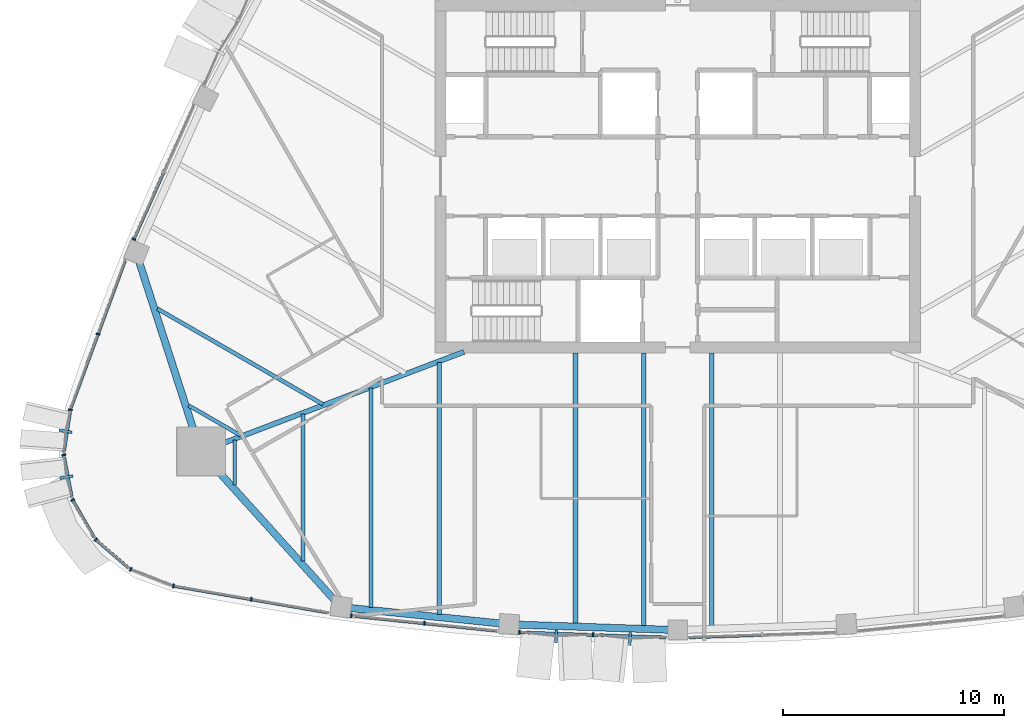
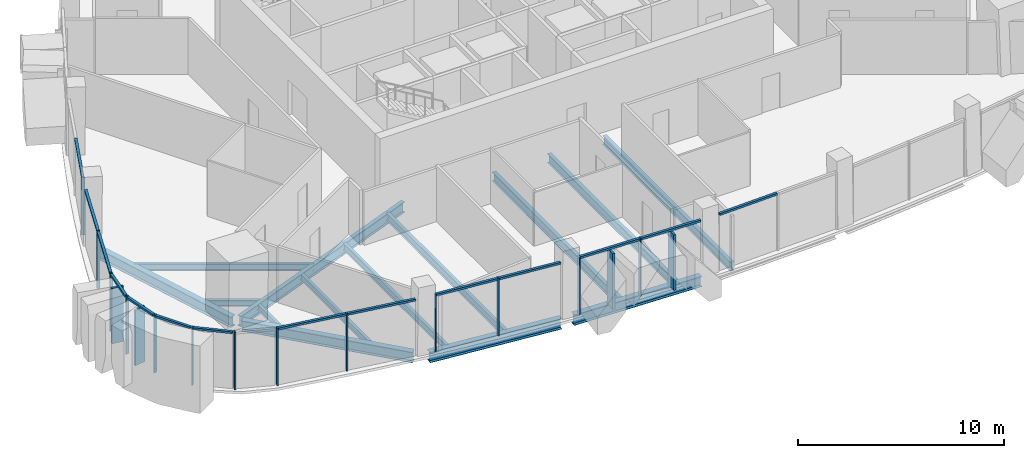
# One storey, part 2 of 18: 31 members, 14 beams, 11 elements without a shape of their own.
"""IFC4 building model written with IfcOpenShell, lengths in metres."""

import ifcopenshell
import ifcopenshell.guid

model = None  # the IFC model being written
_history = None  # IfcOwnerHistory: only IFC2X3 demands one
_inside = {}  # id of a spatial element -> (the spatial element, [elements in it])
_under = {}  # id of a project, library or spatial element -> (it, [spatial elements below it])
_declared = {}  # id of a project -> (the project, [libraries it declares])
_typed = {}  # id of a type object -> (the type object, [elements of that type])
_made_of = {}  # id of a material, layer set ... -> (it, [elements and type objects made of it])


def new_model(schema):
    """Start an empty IFC model of exactly this schema.

    Asked for "IFC4X3", IfcOpenShell would pick the latest addendum, in which some entities
    have other attributes; the version numbers below select the first issue.
    IFC2X3 requires an IfcOwnerHistory on every rooted entity: one is made here for all.
    """
    global model, _history
    if schema == "IFC4X3":
        model = ifcopenshell.file(schema_version=(4, 3, 0, 0))
    else:
        model = ifcopenshell.file(schema=schema)
    _inside.clear()
    _under.clear()
    _declared.clear()
    _typed.clear()
    _made_of.clear()
    _history = None
    if model.schema == "IFC2X3":
        org = make("IfcOrganization", Name="unknown")
        user = make(
            "IfcPersonAndOrganization",
            ThePerson=make("IfcPerson", FamilyName="unknown"),
            TheOrganization=org,
        )
        app = make(
            "IfcApplication",
            ApplicationDeveloper=org,
            Version="unknown",
            ApplicationFullName="unknown",
            ApplicationIdentifier="unknown",
        )
        _history = make(
            "IfcOwnerHistory",
            OwningUser=user,
            OwningApplication=app,
            ChangeAction="ADDED",
            CreationDate=0,
        )
    return model


def make(cls, **values):
    """One entity of the class cls with the attributes given. An attribute that is None is left unset."""
    return model.create_entity(
        cls, **{name: value for name, value in values.items() if value is not None}
    )


def rooted(cls, **values):
    """An entity with a GlobalId (a new one), such as an element, a storey or a relation."""
    return make(cls, GlobalId=ifcopenshell.guid.new(), OwnerHistory=_history, **values)


def si_unit(unit_type, name, prefix=None):
    """IfcSIUnit, for example si_unit("LENGTHUNIT", "METRE", prefix="MILLI")."""
    return make("IfcSIUnit", UnitType=unit_type, Prefix=prefix, Name=name)


def assignment(units):
    """IfcUnitAssignment: the units of a project."""
    return None if units is None else make("IfcUnitAssignment", Units=units)


def point(xyz):
    """IfcCartesianPoint."""
    return None if xyz is None else make("IfcCartesianPoint", Coordinates=xyz)


def direction(xyz):
    """IfcDirection."""
    return None if xyz is None else make("IfcDirection", DirectionRatios=xyz)


def frame(location, z_axis=None, x_axis=None):
    """IfcAxis2Placement3D, a coordinate frame: its origin and axes. An axis left out is left unset."""
    return make(
        "IfcAxis2Placement3D",
        Location=point(location),
        Axis=direction(z_axis),
        RefDirection=direction(x_axis),
    )


def frame_2d(location, x_axis=None):
    """IfcAxis2Placement2D, a coordinate frame in the plane: its origin and x axis."""
    return make(
        "IfcAxis2Placement2D", Location=point(location), RefDirection=direction(x_axis)
    )


def origin():
    """The frame at (0, 0, 0) with its axes left unset."""
    return frame((0.0, 0.0, 0.0))


def origin_2d():
    """The frame at (0, 0) in the plane with its x axis left unset."""
    return frame_2d((0.0, 0.0))


def place(relative_to, where):
    """IfcLocalPlacement: puts the frame where relative to a parent placement (None: the world)."""
    return make(
        "IfcLocalPlacement", PlacementRelTo=relative_to, RelativePlacement=where
    )


def context(
    kind, dimensions, precision=None, world=None, true_north=None, identifier=None
):
    """IfcGeometricRepresentationContext, for example the 3D "Model" context."""
    return make(
        "IfcGeometricRepresentationContext",
        ContextIdentifier=identifier,
        ContextType=kind,
        CoordinateSpaceDimension=dimensions,
        Precision=precision,
        WorldCoordinateSystem=world,
        TrueNorth=true_north,
    )


def subcontext(parent, identifier, kind, view, scale=None):
    """IfcGeometricRepresentationSubContext, for example "Body" below "Model"."""
    return make(
        "IfcGeometricRepresentationSubContext",
        ContextIdentifier=identifier,
        ContextType=kind,
        ParentContext=parent,
        TargetScale=scale,
        TargetView=view,
    )


def project(units=None, contexts=None):
    """IfcProject with its units and contexts."""
    return rooted(
        "IfcProject",
        Name="project",
        RepresentationContexts=contexts,
        UnitsInContext=assignment(units),
    )


def spatial(cls, under=None, at=None, **own):
    """A site, building, storey or space (cls), placed at a placement, below another one or the project."""
    s = rooted(cls, ObjectPlacement=at, **own)
    if under is not None:
        _under.setdefault(under.id(), (under, []))[1].append(s)
    return s


def profile(cls, at=None, kind="AREA", **sizes):
    """A parametric profile (cls). Its sizes go by their IFC names, for example OverallWidth=200.0."""
    return make(cls, ProfileType=kind, Position=at, **sizes)


def rectangle(**sizes):
    """IfcRectangleProfileDef."""
    return profile("IfcRectangleProfileDef", **sizes)


def i_section(**sizes):
    """IfcIShapeProfileDef."""
    return profile("IfcIShapeProfileDef", **sizes)


def extrude(swept, where, along, depth):
    """IfcExtrudedAreaSolid: the profile swept, set in the frame where, extruded along a direction by depth."""
    return make(
        "IfcExtrudedAreaSolid",
        SweptArea=swept,
        Position=where,
        ExtrudedDirection=direction(along),
        Depth=depth,
    )


def shape(context_of_items, identifier, shape_type, items):
    """IfcShapeRepresentation: the items that make up one representation, for example the "Body"."""
    return make(
        "IfcShapeRepresentation",
        ContextOfItems=context_of_items,
        RepresentationIdentifier=identifier,
        RepresentationType=shape_type,
        Items=items,
    )


def material(Name=None, Category=None):
    """IfcMaterial."""
    return make("IfcMaterial", Name=Name, Category=Category)


def layer(
    of_material, thickness, ventilated=None, Name=None, Category=None, Priority=None
):
    """IfcMaterialLayer: one layer of a wall or slab, of a material (None: an air gap)."""
    return make(
        "IfcMaterialLayer",
        Material=of_material,
        LayerThickness=thickness,
        IsVentilated=ventilated,
        Name=Name,
        Category=Category,
        Priority=Priority,
    )


def layer_set(layers, Name=None):
    """IfcMaterialLayerSet."""
    return make("IfcMaterialLayerSet", MaterialLayers=layers, LayerSetName=Name)


def material_profile(
    of_material, cross_section, Name=None, Category=None, Priority=None
):
    """IfcMaterialProfile: a cross section and its material."""
    return make(
        "IfcMaterialProfile",
        Name=Name,
        Material=of_material,
        Profile=cross_section,
        Priority=Priority,
        Category=Category,
    )


def profile_set(profiles, Name=None, composite=None):
    """IfcMaterialProfileSet."""
    return make(
        "IfcMaterialProfileSet",
        Name=Name,
        MaterialProfiles=profiles,
        CompositeProfile=composite,
    )


def made_of(thing, what):
    """Note that an element or type object is made of a material, layer set ...; save() writes the relation."""
    if what is not None:
        _made_of.setdefault(what.id(), (what, []))[1].append(thing)
    return thing


def type_object(cls, material=None, **own):
    """A type object (cls), such as IfcWallType, which elements share."""
    return made_of(rooted(cls, **own), material)


def element(
    cls,
    number,
    at=None,
    inside=None,
    cuts=None,
    type_object=None,
    material=None,
    context=None,
    identifier="Body",
    shape_type=None,
    held_by="IfcProductDefinitionShape",
    body=None,
    shapes=None,
    **own,
):
    """One element of the class cls, such as IfcWall. Its Tag is "e" and its number.

    at: its placement. inside: the storey or other place that contains it. cuts: it is an
    opening in that element (IfcRelVoidsElement). A single representation is given by context,
    identifier, shape_type and body (its items); several are given by shapes. held_by: the class
    of the entity that holds the representations. save() writes the other relations.
    """
    e = rooted(cls, Tag="e%d" % number, ObjectPlacement=at, **own)
    if body is not None:
        shapes = [shape(context, identifier, shape_type, body)]
    if shapes is not None:
        e.Representation = make(held_by, Representations=shapes)
    if inside is not None:
        _inside.setdefault(inside.id(), (inside, []))[1].append(e)
    if cuts is not None:
        rooted(
            "IfcRelVoidsElement", RelatingBuildingElement=cuts, RelatedOpeningElement=e
        )
    if type_object is not None:
        _typed.setdefault(type_object.id(), (type_object, []))[1].append(e)
    return made_of(e, material)


def aggregate(whole, parts):
    """IfcRelAggregates: a whole, such as a stair, and the parts it consists of."""
    return rooted("IfcRelAggregates", RelatingObject=whole, RelatedObjects=parts)


def save(model, path):
    """Write the relations noted so far, then the file.

    IfcRelAggregates (storeys below a building ...), IfcRelContainedInSpatialStructure (elements
    in a storey), IfcRelDefinesByType, IfcRelAssociatesMaterial and IfcRelDeclares: one each for
    every whole, place, type object, material and project.
    """
    for whole, parts in _under.values():
        aggregate(whole, parts)
    for where, things in _inside.values():
        rooted(
            "IfcRelContainedInSpatialStructure",
            RelatedElements=things,
            RelatingStructure=where,
        )
    for kind, things in _typed.values():
        rooted("IfcRelDefinesByType", RelatedObjects=things, RelatingType=kind)
    for what, things in _made_of.values():
        rooted("IfcRelAssociatesMaterial", RelatedObjects=things, RelatingMaterial=what)
    for by, libraries in _declared.values():
        rooted("IfcRelDeclares", RelatingContext=by, RelatedDefinitions=libraries)
    model.write(path)


model = new_model("IFC4")

# Units and contexts
model_context = context("Model", 3, precision=1e-05, world=origin(), true_north=direction((0.0, 1.0)))
body_context = subcontext(model_context, "Body", "Model", "MODEL_VIEW")
ifc_project = project(units=[si_unit("LENGTHUNIT", "METRE"), si_unit("AREAUNIT", "SQUARE_METRE"), si_unit("VOLUMEUNIT", "CUBIC_METRE"), si_unit("PLANEANGLEUNIT", "RADIAN"), si_unit("MASSUNIT", "GRAM", prefix="KILO")], contexts=[model_context])

# Site, building, storey
site_placement = place(None, origin())
site = spatial("IfcSite", under=ifc_project, at=site_placement, CompositionType="ELEMENT")
building_placement = place(site_placement, origin())
building = spatial("IfcBuilding", under=site, at=building_placement, Name="Sierra Prisma Convention Tower", CompositionType="ELEMENT")
storey_placement = place(building_placement, frame((0.0, 0.0, 255.0)))
storey = spatial("IfcBuildingStorey", under=building, at=storey_placement, Name="L57", CompositionType="ELEMENT", Elevation=255.0)

# Curtain wall, members
ifc_material_1 = material(Name="Aluminium and glass curtain wall", Category="aluminium")
ifc_layer_1 = layer(ifc_material_1, 0.179931640625)
ifc_layer_set_1 = layer_set([ifc_layer_1], Name="CW-2 Faceted crystal curtain wall")
curtain_wall_type_1 = type_object("IfcCurtainWallType", Name="CW-2 Faceted crystal curtain wall", PredefinedType="NOTDEFINED", material=ifc_layer_set_1)
curtain_wall_1_placement = place(storey_placement, origin())
curtain_wall_1 = element("IfcCurtainWall", 1, at=curtain_wall_1_placement, inside=storey, type_object=curtain_wall_type_1, Name="CW-2 S3 L57", PredefinedType="NOTDEFINED")
ifc_material_2 = material(Name="Aluminium 6063-T6 bronze anodised", Category="aluminium")
ifc_material_profile_1 = material_profile(ifc_material_2, rectangle(XDim=0.1201171875, YDim=0.60009765625, at=origin_2d()), Name="ALU RIDGE BLADE 120x600")
ifc_profile_set_1 = profile_set([ifc_material_profile_1], Name="Aluminium 6063-T6 bronze anodised")
member_type_1 = type_object("IfcMemberType", Name="CW hip bronze", PredefinedType="MULLION", material=ifc_profile_set_1)
member_1_placement = place(storey_placement, frame((-5.510986328125, -20.859130859375, 0.0), z_axis=(0.0, 0.0, 1.0), x_axis=(0.999414770638, -0.034206961734, 0.0)))
member_1 = element("IfcMember", 2, at=member_1_placement, type_object=member_type_1, Name="CW-2 ridge S3.1", PredefinedType="MULLION", context=body_context, shape_type="SweptSolid", body=[
    extrude(rectangle(XDim=0.1201171875, YDim=0.60009765625, at=origin_2d()), origin(), (0.0, 0.0, 1.0), 3.280029296875),
])
member_2_placement = place(storey_placement, frame((-2.1630859375, -20.9736328125, 0.0), z_axis=(0.0, 0.0, 1.0), x_axis=(0.999414770638, -0.034206961734, 0.0)))
member_2 = element("IfcMember", 3, at=member_2_placement, type_object=member_type_1, Name="CW-2 ridge S3.2", PredefinedType="MULLION", context=body_context, shape_type="SweptSolid", body=[
    extrude(rectangle(XDim=0.1201171875, YDim=0.60009765625, at=origin_2d()), origin(), (0.0, 0.0, 1.0), 3.280029296875),
])

# Curtain wall, member
curtain_wall_2_placement = place(storey_placement, origin())
curtain_wall_2 = element("IfcCurtainWall", 4, at=curtain_wall_2_placement, inside=storey, type_object=curtain_wall_type_1, Name="CW-2 SW1 L57", PredefinedType="NOTDEFINED")
member_3_placement = place(storey_placement, frame((-27.74951171875, -11.55859375, 0.0), z_axis=(0.0, 0.0, 1.0), x_axis=(-0.149372686677, -0.988780966885, 0.0)))
member_3 = element("IfcMember", 5, at=member_3_placement, type_object=member_type_1, Name="CW-2 ridge SW1.1", PredefinedType="MULLION", context=body_context, shape_type="SweptSolid", body=[
    extrude(rectangle(XDim=0.1201171875, YDim=0.60009765625, at=origin_2d()), origin(), (0.0, 0.0, 1.0), 3.280029296875),
])

curtain_wall_3_placement = place(storey_placement, origin())
curtain_wall_3 = element("IfcCurtainWall", 6, at=curtain_wall_3_placement, inside=storey, type_object=curtain_wall_type_1, Name="CW-2 SW2 L57", PredefinedType="NOTDEFINED")
member_4_placement = place(storey_placement, frame((-27.711181640625, -13.635009765625, 0.0), z_axis=(0.0, 0.0, 1.0), x_axis=(0.185747436806, -0.982597521735, 0.0)))
member_4 = element("IfcMember", 7, at=member_4_placement, type_object=member_type_1, Name="CW-2 ridge SW2.1", PredefinedType="MULLION", context=body_context, shape_type="SweptSolid", body=[
    extrude(rectangle(XDim=0.1201171875, YDim=0.60009765625, at=origin_2d()), origin(), (0.0, 0.0, 1.0), 3.280029296875),
])

# Curtain wall, members
ifc_material_3 = material(Name="Aluminium and glass curtain wall", Category="aluminium")
ifc_layer_2 = layer(ifc_material_3, 0.179931640625)
ifc_layer_set_2 = layer_set([ifc_layer_2], Name="CW-1 Plain shaft curtain wall")
curtain_wall_type_2 = type_object("IfcCurtainWallType", Name="CW-1 Plain shaft curtain wall", PredefinedType="NOTDEFINED", material=ifc_layer_set_2)
curtain_wall_4_placement = place(storey_placement, origin())
curtain_wall_4 = element("IfcCurtainWall", 8, at=curtain_wall_4_placement, inside=storey, type_object=curtain_wall_type_2, Name="CW-1 S1 L57", PredefinedType="NOTDEFINED")
ifc_material_4 = material(Name="Aluminium 6063-T6 bronze anodised", Category="aluminium")
ifc_material_profile_2 = material_profile(ifc_material_4, rectangle(XDim=0.179931640625, YDim=0.070068359375, at=origin_2d()), Name="ALU MULLION 70x180")
ifc_profile_set_2 = profile_set([ifc_material_profile_2], Name="Aluminium 6063-T6 bronze anodised")
member_type_2 = type_object("IfcMemberType", Name="CW mullion bronze", PredefinedType="MULLION", material=ifc_profile_set_2)
member_5_placement = place(storey_placement, frame((-22.85400390625, -18.56689453125, 0.0), z_axis=(0.0, 0.0, 1.0), x_axis=(0.170235035574, 0.985403487239, 0.0)))
member_5 = element("IfcMember", 9, at=member_5_placement, type_object=member_type_2, Name="CW-1 mullion S1.1", PredefinedType="MULLION", context=body_context, shape_type="SweptSolid", body=[
    extrude(rectangle(XDim=0.179931640625, YDim=0.070068359375, at=origin_2d()), origin(), (0.0, 0.0, 1.0), 3.39990234375),
])
member_6_placement = place(storey_placement, frame((-19.325439453125, -19.176513671875, 0.0), z_axis=(0.0, 0.0, 1.0), x_axis=(0.170235035574, 0.985403487239, 0.0)))
member_6 = element("IfcMember", 10, at=member_6_placement, type_object=member_type_2, Name="CW-1 mullion S1.2", PredefinedType="MULLION", context=body_context, shape_type="SweptSolid", body=[
    extrude(rectangle(XDim=0.179931640625, YDim=0.070068359375, at=origin_2d()), origin(), (0.0, 0.0, 1.0), 3.39990234375),
])

curtain_wall_5_placement = place(storey_placement, origin())
curtain_wall_5 = element("IfcCurtainWall", 11, at=curtain_wall_5_placement, inside=storey, type_object=curtain_wall_type_2, Name="CW-1 S2 L57", PredefinedType="NOTDEFINED")
member_7_placement = place(storey_placement, frame((-14.79248046875, -19.9228515625, 0.0), z_axis=(0.0, 0.0, 1.0), x_axis=(0.102460780699, 0.994737044861, 0.0)))
member_7 = element("IfcMember", 12, at=member_7_placement, type_object=member_type_2, Name="CW-1 mullion S2.1", PredefinedType="MULLION", context=body_context, shape_type="SweptSolid", body=[
    extrude(rectangle(XDim=0.179931640625, YDim=0.070068359375, at=origin_2d()), origin(), (0.0, 0.0, 1.0), 3.39990234375),
])
member_8_placement = place(storey_placement, frame((-11.47607421875, -20.264404296875, 0.0), z_axis=(0.0, 0.0, 1.0), x_axis=(0.102460780699, 0.994737044861, 0.0)))
member_8 = element("IfcMember", 13, at=member_8_placement, type_object=member_type_2, Name="CW-1 mullion S2.2", PredefinedType="MULLION", context=body_context, shape_type="SweptSolid", body=[
    extrude(rectangle(XDim=0.179931640625, YDim=0.070068359375, at=origin_2d()), origin(), (0.0, 0.0, 1.0), 3.39990234375),
])

# Member
member_9_placement = place(storey_placement, frame((-7.180419921875, -20.6728515625, 0.0), z_axis=(0.0, 0.0, 1.0), x_axis=(0.034206961734, 0.999414770638, 0.0)))
member_9 = element("IfcMember", 14, at=member_9_placement, type_object=member_type_2, Name="CW-1 mullion S3.1", PredefinedType="MULLION", context=body_context, shape_type="SweptSolid", body=[
    extrude(rectangle(XDim=0.179931640625, YDim=0.070068359375, at=origin_2d()), origin(), (0.0, 0.0, 1.0), 3.39990234375),
])

member_10_placement = place(storey_placement, frame((-3.83251953125, -20.787353515625, 0.0), z_axis=(0.0, 0.0, 1.0), x_axis=(0.034206961734, 0.999414770638, 0.0)))
member_10 = element("IfcMember", 15, at=member_10_placement, type_object=member_type_2, Name="CW-1 mullion S3.2", PredefinedType="MULLION", context=body_context, shape_type="SweptSolid", body=[
    extrude(rectangle(XDim=0.179931640625, YDim=0.070068359375, at=origin_2d()), origin(), (0.0, 0.0, 1.0), 3.39990234375),
])

# Curtain wall, member
curtain_wall_6_placement = place(storey_placement, origin())
curtain_wall_6 = element("IfcCurtainWall", 16, at=curtain_wall_6_placement, inside=storey, type_object=curtain_wall_type_2, Name="CW-1 NW5 L57", PredefinedType="NOTDEFINED")
member_11_placement = place(storey_placement, frame((-24.650146484375, -2.849365234375, 0.0), z_axis=(0.0, 0.0, 1.0), x_axis=(0.912697941284, -0.408634883454, 0.0)))
member_11 = element("IfcMember", 17, at=member_11_placement, type_object=member_type_2, Name="CW-1 mullion NW5.3", PredefinedType="MULLION", context=body_context, shape_type="SweptSolid", body=[
    extrude(rectangle(XDim=0.179931640625, YDim=0.070068359375, at=origin_2d()), origin(), (0.0, 0.0, 1.0), 3.39990234375),
])

curtain_wall_7_placement = place(storey_placement, origin())
curtain_wall_7 = element("IfcCurtainWall", 18, at=curtain_wall_7_placement, inside=storey, type_object=curtain_wall_type_2, Name="CW-1 NW6 L57", PredefinedType="NOTDEFINED")
member_12_placement = place(storey_placement, frame((-26.27001953125, -7.14794921875, 0.0), z_axis=(0.0, 0.0, 1.0), x_axis=(0.938501970714, -0.345273878198, 0.0)))
member_12 = element("IfcMember", 19, at=member_12_placement, type_object=member_type_2, Name="CW-1 mullion NW6.2", PredefinedType="MULLION", context=body_context, shape_type="SweptSolid", body=[
    extrude(rectangle(XDim=0.179931640625, YDim=0.070068359375, at=origin_2d()), origin(), (0.0, 0.0, 1.0), 3.39990234375),
])

# Member
member_13_placement = place(storey_placement, frame((-27.523681640625, -10.576171875, 0.0), z_axis=(0.0, 0.0, 1.0), x_axis=(0.988780966885, -0.149372686677, 0.0)))
member_13 = element("IfcMember", 20, at=member_13_placement, type_object=member_type_2, Name="CW-1 mullion SW1.1", PredefinedType="MULLION", context=body_context, shape_type="SweptSolid", body=[
    extrude(rectangle(XDim=0.179931640625, YDim=0.070068359375, at=origin_2d()), origin(), (0.0, 0.0, 1.0), 3.39990234375),
])

member_14_placement = place(storey_placement, frame((-27.82275390625, -12.633056640625, 0.0), z_axis=(0.0, 0.0, 1.0), x_axis=(0.982597521735, 0.185747436806, 0.0)))
member_14 = element("IfcMember", 21, at=member_14_placement, type_object=member_type_2, Name="CW-1 mullion SW2.1", PredefinedType="MULLION", context=body_context, shape_type="SweptSolid", body=[
    extrude(rectangle(XDim=0.179931640625, YDim=0.070068359375, at=origin_2d()), origin(), (0.0, 0.0, 1.0), 3.39990234375),
])

# Curtain wall, member
curtain_wall_8_placement = place(storey_placement, origin())
curtain_wall_8 = element("IfcCurtainWall", 22, at=curtain_wall_8_placement, inside=storey, type_object=curtain_wall_type_2, Name="CW-1 SW3 L57", PredefinedType="NOTDEFINED")
member_15_placement = place(storey_placement, frame((-27.42529296875, -14.67333984375, 0.0), z_axis=(0.0, 0.0, 1.0), x_axis=(0.866025403784, 0.5, 0.0)))
member_15 = element("IfcMember", 23, at=member_15_placement, type_object=member_type_2, Name="CW-1 mullion SW3.1", PredefinedType="MULLION", context=body_context, shape_type="SweptSolid", body=[
    extrude(rectangle(XDim=0.179931640625, YDim=0.070068359375, at=origin_2d()), origin(), (0.0, 0.0, 1.0), 3.39990234375),
])

curtain_wall_9_placement = place(storey_placement, origin())
curtain_wall_9 = element("IfcCurtainWall", 24, at=curtain_wall_9_placement, inside=storey, type_object=curtain_wall_type_2, Name="CW-1 SW4 L57", PredefinedType="NOTDEFINED")
member_16_placement = place(storey_placement, frame((-26.3759765625, -16.467529296875, 0.0), z_axis=(0.0, 0.0, 1.0), x_axis=(0.652160759829, 0.758080697115, 0.0)))
member_16 = element("IfcMember", 25, at=member_16_placement, type_object=member_type_2, Name="CW-1 mullion SW4.1", PredefinedType="MULLION", context=body_context, shape_type="SweptSolid", body=[
    extrude(rectangle(XDim=0.179931640625, YDim=0.070068359375, at=origin_2d()), origin(), (0.0, 0.0, 1.0), 3.39990234375),
])

curtain_wall_10_placement = place(storey_placement, origin())
curtain_wall_10 = element("IfcCurtainWall", 26, at=curtain_wall_10_placement, inside=storey, type_object=curtain_wall_type_2, Name="CW-1 SW5 L57", PredefinedType="NOTDEFINED")
member_17_placement = place(storey_placement, frame((-24.79296875, -17.814208984375, 0.0), z_axis=(0.0, 0.0, 1.0), x_axis=(0.365029942148, 0.93099577944, 0.0)))
member_17 = element("IfcMember", 27, at=member_17_placement, type_object=member_type_2, Name="CW-1 mullion SW5.1", PredefinedType="MULLION", context=body_context, shape_type="SweptSolid", body=[
    extrude(rectangle(XDim=0.179931640625, YDim=0.070068359375, at=origin_2d()), origin(), (0.0, 0.0, 1.0), 3.39990234375),
])
aggregate(curtain_wall_10, [member_17])

# Member
ifc_material_5 = material(Name="Aluminium 6063-T6 bronze anodised", Category="aluminium")
ifc_material_profile_3 = material_profile(ifc_material_5, rectangle(XDim=0.139892578125, YDim=0.1201171875, at=origin_2d()), Name="ALU TRANSOM 120x140")
ifc_profile_set_3 = profile_set([ifc_material_profile_3], Name="Aluminium 6063-T6 bronze anodised")
member_type_3 = type_object("IfcMemberType", Name="CW transom bronze", PredefinedType="USERDEFINED", material=ifc_profile_set_3)
member_18_placement = place(storey_placement, frame((-22.819580078125, -18.572998046875, 3.340087890625), z_axis=(0.985405061032, -0.17022592544, 0.0), x_axis=(0.17022592544, 0.985405061032, 0.0)))
member_18 = element("IfcMember", 28, at=member_18_placement, type_object=member_type_3, Name="CW-1 transom S1.1", ObjectType="TRANSOM", PredefinedType="USERDEFINED", context=body_context, shape_type="SweptSolid", body=[
    extrude(rectangle(XDim=0.139892578125, YDim=0.1201171875, at=origin_2d()), origin(), (0.0, 0.0, 1.0), 3.510986328125),
])

member_19_placement = place(storey_placement, frame((-19.290771484375, -19.1826171875, 3.340087890625), z_axis=(0.985403045869, -0.170237590422, 0.0), x_axis=(0.170237590422, 0.985403045869, 0.0)))
member_19 = element("IfcMember", 29, at=member_19_placement, type_object=member_type_3, Name="CW-1 transom S1.2", ObjectType="TRANSOM", PredefinedType="USERDEFINED", context=body_context, shape_type="SweptSolid", body=[
    extrude(rectangle(XDim=0.139892578125, YDim=0.1201171875, at=origin_2d()), origin(), (0.0, 0.0, 1.0), 3.5107421875),
])

aggregate(curtain_wall_4, [member_5, member_6, member_18, member_19])

member_20_placement = place(storey_placement, frame((-14.7578125, -19.926513671875, 3.340087890625), z_axis=(0.994735789227, -0.102472970241, 0.0), x_axis=(0.102472970241, 0.994735789227, 0.0)))
member_20 = element("IfcMember", 30, at=member_20_placement, type_object=member_type_3, Name="CW-1 transom S2.1", ObjectType="TRANSOM", PredefinedType="USERDEFINED", context=body_context, shape_type="SweptSolid", body=[
    extrude(rectangle(XDim=0.139892578125, YDim=0.1201171875, at=origin_2d()), origin(), (0.0, 0.0, 1.0), 3.263916015625),
])

member_21_placement = place(storey_placement, frame((-11.44140625, -20.26806640625, 3.340087890625), z_axis=(0.994735789227, -0.102472970241, 0.0), x_axis=(0.102472970241, 0.994735789227, 0.0)))
member_21 = element("IfcMember", 31, at=member_21_placement, type_object=member_type_3, Name="CW-1 transom S2.2", ObjectType="TRANSOM", PredefinedType="USERDEFINED", context=body_context, shape_type="SweptSolid", body=[
    extrude(rectangle(XDim=0.139892578125, YDim=0.1201171875, at=origin_2d()), origin(), (0.0, 0.0, 1.0), 3.263916015625),
])

aggregate(curtain_wall_5, [member_7, member_8, member_20, member_21])

member_22_placement = place(storey_placement, frame((-7.1455078125, -20.674072265625, 3.340087890625), z_axis=(0.999416209582, -0.03416489463, 0.0), x_axis=(0.03416489463, 0.999416209582, 0.0)))
member_22 = element("IfcMember", 32, at=member_22_placement, type_object=member_type_3, Name="CW-1 transom S3.1", ObjectType="TRANSOM", PredefinedType="USERDEFINED", context=body_context, shape_type="SweptSolid", body=[
    extrude(rectangle(XDim=0.139892578125, YDim=0.1201171875, at=origin_2d()), origin(), (0.0, 0.0, 1.0), 3.280029296875),
])

member_23_placement = place(storey_placement, frame((-3.797607421875, -20.78857421875, 3.340087890625), z_axis=(0.999413578031, -0.034241788015, 0.0), x_axis=(0.034241788015, 0.999413578031, 0.0)))
member_23 = element("IfcMember", 33, at=member_23_placement, type_object=member_type_3, Name="CW-1 transom S3.2", ObjectType="TRANSOM", PredefinedType="USERDEFINED", context=body_context, shape_type="SweptSolid", body=[
    extrude(rectangle(XDim=0.139892578125, YDim=0.1201171875, at=origin_2d()), origin(), (0.0, 0.0, 1.0), 3.27978515625),
])

aggregate(curtain_wall_1, [member_9, member_10, member_22, member_1, member_23, member_2])

# Curtain wall, member
curtain_wall_11_placement = place(storey_placement, origin())
curtain_wall_11 = element("IfcCurtainWall", 34, at=curtain_wall_11_placement, inside=storey, type_object=curtain_wall_type_2, Name="CW-1 S4 L57", PredefinedType="NOTDEFINED")
member_24_placement = place(storey_placement, frame((0.519775390625, -20.90087890625, 3.340087890625), z_axis=(0.999413578031, 0.034241788015, 0.0), x_axis=(-0.034241788015, 0.999413578031, 0.0)))
member_24 = element("IfcMember", 35, at=member_24_placement, type_object=member_type_3, Name="CW-1 transom S4.1", ObjectType="TRANSOM", PredefinedType="USERDEFINED", context=body_context, shape_type="SweptSolid", body=[
    extrude(rectangle(XDim=0.139892578125, YDim=0.1201171875, at=origin_2d()), origin(), (0.0, 0.0, 1.0), 3.27978515625),
])
aggregate(curtain_wall_11, [member_24])

# Member
member_25_placement = place(storey_placement, frame((-23.302001953125, 0.16162109375, 3.340087890625), z_axis=(-0.408628466508, -0.912700814265, 0.0), x_axis=(0.912700814265, -0.408628466508, 0.0)))
member_25 = element("IfcMember", 36, at=member_25_placement, type_object=member_type_3, Name="CW-1 transom NW5.2", ObjectType="TRANSOM", PredefinedType="USERDEFINED", context=body_context, shape_type="SweptSolid", body=[
    extrude(rectangle(XDim=0.139892578125, YDim=0.1201171875, at=origin_2d()), origin(), (0.0, 0.0, 1.0), 3.263916015625),
])

aggregate(curtain_wall_6, [member_11, member_25])

member_26_placement = place(storey_placement, frame((-25.045654296875, -3.820068359375, 3.340087890625), z_axis=(-0.345302542415, -0.938491424682, 0.0), x_axis=(0.938491424682, -0.345302542415, 0.0)))
member_26 = element("IfcMember", 37, at=member_26_placement, type_object=member_type_3, Name="CW-1 transom NW6.1", ObjectType="TRANSOM", PredefinedType="USERDEFINED", context=body_context, shape_type="SweptSolid", body=[
    extrude(rectangle(XDim=0.139892578125, YDim=0.1201171875, at=origin_2d()), origin(), (0.0, 0.0, 1.0), 3.51123046875),
])

member_27_placement = place(storey_placement, frame((-26.2822265625, -7.180908203125, 3.340087890625), z_axis=(-0.345263829271, -0.938505667642, 0.0), x_axis=(0.938505667642, -0.345263829271, 0.0)))
member_27 = element("IfcMember", 38, at=member_27_placement, type_object=member_type_3, Name="CW-1 transom NW6.2", ObjectType="TRANSOM", PredefinedType="USERDEFINED", context=body_context, shape_type="SweptSolid", body=[
    extrude(rectangle(XDim=0.139892578125, YDim=0.1201171875, at=origin_2d()), origin(), (0.0, 0.0, 1.0), 3.5107421875),
])

aggregate(curtain_wall_7, [member_12, member_26, member_27])

member_28_placement = place(storey_placement, frame((-27.529052734375, -10.61083984375, 3.340087890625), z_axis=(-0.149343210677, -0.988785419302, 0.0), x_axis=(0.988785419302, -0.149343210677, 0.0)))
member_28 = element("IfcMember", 39, at=member_28_placement, type_object=member_type_3, Name="CW-1 transom SW1.1", ObjectType="TRANSOM", PredefinedType="USERDEFINED", context=body_context, shape_type="SweptSolid", body=[
    extrude(rectangle(XDim=0.139892578125, YDim=0.1201171875, at=origin_2d()), origin(), (0.0, 0.0, 1.0), 1.9404296875),
])

aggregate(curtain_wall_2, [member_13, member_28, member_3])

member_29_placement = place(storey_placement, frame((-27.81640625, -12.66748046875, 3.340087890625), z_axis=(0.185822728941, -0.982583285737, 0.0), x_axis=(0.982583285737, 0.185822728941, 0.0)))
member_29 = element("IfcMember", 40, at=member_29_placement, type_object=member_type_3, Name="CW-1 transom SW2.1", ObjectType="TRANSOM", PredefinedType="USERDEFINED", context=body_context, shape_type="SweptSolid", body=[
    extrude(rectangle(XDim=0.139892578125, YDim=0.1201171875, at=origin_2d()), origin(), (0.0, 0.0, 1.0), 1.9404296875),
])

aggregate(curtain_wall_3, [member_14, member_29, member_4])

member_30_placement = place(storey_placement, frame((-27.407958984375, -14.70361328125, 3.340087890625), z_axis=(0.500103611961, -0.865965575126, 0.0), x_axis=(0.865965575126, 0.500103611961, 0.0)))
member_30 = element("IfcMember", 41, at=member_30_placement, type_object=member_type_3, Name="CW-1 transom SW3.1", ObjectType="TRANSOM", PredefinedType="USERDEFINED", context=body_context, shape_type="SweptSolid", body=[
    extrude(rectangle(XDim=0.139892578125, YDim=0.1201171875, at=origin_2d()), origin(), (0.0, 0.0, 1.0), 1.9404296875),
])

aggregate(curtain_wall_8, [member_15, member_30])

member_31_placement = place(storey_placement, frame((-26.349609375, -16.490478515625, 3.340087890625), z_axis=(0.758145388545, -0.652085554071, 0.0), x_axis=(0.652085554071, 0.758145388545, 0.0)))
member_31 = element("IfcMember", 42, at=member_31_placement, type_object=member_type_3, Name="CW-1 transom SW4.1", ObjectType="TRANSOM", PredefinedType="USERDEFINED", context=body_context, shape_type="SweptSolid", body=[
    extrude(rectangle(XDim=0.139892578125, YDim=0.1201171875, at=origin_2d()), origin(), (0.0, 0.0, 1.0), 1.9404296875),
])

aggregate(curtain_wall_9, [member_16, member_31])

# Beams
ifc_material_6 = material(Name="Steel ASTM A992 Gr 50", Category="steel")
ifc_material_profile_4 = material_profile(ifc_material_6, i_section(OverallWidth=0.172119140625, OverallDepth=0.35791015625, WebThickness=0.0078125, FlangeThickness=0.01318359375, at=origin_2d()), Name="W360x57")
ifc_profile_set_4 = profile_set([ifc_material_profile_4], Name="Steel ASTM A992 Gr 50")
beam_type_1 = type_object("IfcBeamType", Name="Floor joist W360x57", PredefinedType="JOIST", material=ifc_profile_set_4)
beam_1_placement = place(storey_placement, frame((-20.07861328125, -14.0029296875, -0.3291015625), z_axis=(0.0, 1.0, 0.0), x_axis=(-1.0, 0.0, 0.0)))
element("IfcBeam", 43, at=beam_1_placement, inside=storey, type_object=beam_type_1, Name="Floor joist L57 S01", PredefinedType="JOIST", context=body_context, shape_type="SweptSolid", body=[
    extrude(i_section(OverallWidth=0.172119140625, OverallDepth=0.35791015625, WebThickness=0.0078125, FlangeThickness=0.01318359375, at=origin_2d()), origin(), (0.0, 0.0, 1.0), 2.055419921875),
])
beam_2_placement = place(storey_placement, frame((-16.98974609375, -17.42529296875, -0.3291015625), z_axis=(0.0, 1.0, 0.0), x_axis=(-1.0, 0.0, 0.0)))
element("IfcBeam", 44, at=beam_2_placement, inside=storey, type_object=beam_type_1, Name="Floor joist L57 S02", PredefinedType="JOIST", context=body_context, shape_type="SweptSolid", body=[
    extrude(i_section(OverallWidth=0.172119140625, OverallDepth=0.35791015625, WebThickness=0.0078125, FlangeThickness=0.01318359375, at=origin_2d()), origin(), (0.0, 0.0, 1.0), 6.649169921875),
])
beam_3_placement = place(storey_placement, frame((-22.166259765625, -10.38720703125, -0.3291015625), z_axis=(0.866042117264, -0.499971050288, 0.0), x_axis=(0.499971050288, 0.866042117264, 0.0)))
element("IfcBeam", 45, at=beam_3_placement, inside=storey, type_object=beam_type_1, Name="Floor joist L57 NW14", PredefinedType="JOIST", context=body_context, shape_type="SweptSolid", body=[
    extrude(i_section(OverallWidth=0.172119140625, OverallDepth=0.35791015625, WebThickness=0.0078125, FlangeThickness=0.01318359375, at=origin_2d()), origin(), (0.0, 0.0, 1.0), 2.720458984375),
])
ifc_material_7 = material(Name="Steel ASTM A992 Gr 50", Category="steel")
ifc_material_profile_5 = material_profile(ifc_material_7, i_section(OverallWidth=0.177978515625, OverallDepth=0.406982421875, WebThickness=0.0078125, FlangeThickness=0.0126953125, at=origin_2d()), Name="W410x60")
ifc_profile_set_5 = profile_set([ifc_material_profile_5], Name="Steel ASTM A992 Gr 50")
beam_type_2 = type_object("IfcBeamType", Name="Floor joist W410x60", PredefinedType="JOIST", material=ifc_profile_set_5)
beam_4_placement = place(storey_placement, frame((-13.900634765625, -19.5498046875, -0.353515625), z_axis=(0.0, 1.0, 0.0), x_axis=(-1.0, 0.0, 0.0)))
element("IfcBeam", 46, at=beam_4_placement, inside=storey, type_object=beam_type_2, Name="Floor joist L57 S03", PredefinedType="JOIST", context=body_context, shape_type="SweptSolid", body=[
    extrude(i_section(OverallWidth=0.177978515625, OverallDepth=0.406982421875, WebThickness=0.0078125, FlangeThickness=0.0126953125, at=origin_2d()), origin(), (0.0, 0.0, 1.0), 9.9453125),
])
beam_5_placement = place(storey_placement, frame((-23.58544921875, -6.0009765625, -0.353515625), z_axis=(0.866030746125, -0.499990746681, 0.0), x_axis=(0.499990746681, 0.866030746125, 0.0)))
element("IfcBeam", 47, at=beam_5_placement, inside=storey, type_object=beam_type_2, Name="Floor joist L57 NW13", PredefinedType="JOIST", context=body_context, shape_type="SweptSolid", body=[
    extrude(i_section(OverallWidth=0.177978515625, OverallDepth=0.406982421875, WebThickness=0.0078125, FlangeThickness=0.0126953125, at=origin_2d()), origin(), (0.0, 0.0, 1.0), 8.664794921875),
])
ifc_material_8 = material(Name="Steel ASTM A992 Gr 50", Category="steel")
ifc_material_profile_6 = material_profile(ifc_material_8, i_section(OverallWidth=0.18994140625, OverallDepth=0.45703125, WebThickness=0.009033203125, FlangeThickness=0.014404296875, at=origin_2d()), Name="W460x74")
ifc_profile_set_6 = profile_set([ifc_material_profile_6], Name="Steel ASTM A992 Gr 50")
beam_type_3 = type_object("IfcBeamType", Name="Floor joist W460x74", PredefinedType="JOIST", material=ifc_profile_set_6)
beam_6_placement = place(storey_placement, frame((-10.8115234375, -19.867919921875, -0.37841796875), z_axis=(0.0, 1.0, 0.0), x_axis=(-1.0, 0.0, 0.0)))
element("IfcBeam", 48, at=beam_6_placement, inside=storey, type_object=beam_type_3, Name="Floor joist L57 S04", PredefinedType="JOIST", context=body_context, shape_type="SweptSolid", body=[
    extrude(i_section(OverallWidth=0.18994140625, OverallDepth=0.45703125, WebThickness=0.009033203125, FlangeThickness=0.014404296875, at=origin_2d()), origin(), (0.0, 0.0, 1.0), 11.43505859375),
])
ifc_material_9 = material(Name="Steel ASTM A992 Gr 50", Category="steel")
ifc_material_profile_7 = material_profile(ifc_material_9, i_section(OverallWidth=0.208984375, OverallDepth=0.532958984375, WebThickness=0.01025390625, FlangeThickness=0.015625, at=origin_2d()), Name="W530x92")
ifc_profile_set_7 = profile_set([ifc_material_profile_7], Name="Steel ASTM A992 Gr 50")
beam_type_4 = type_object("IfcBeamType", Name="Floor joist W530x92", PredefinedType="JOIST", material=ifc_profile_set_7)
beam_7_placement = place(storey_placement, frame((-4.633544921875, -20.29736328125, -0.41650390625), z_axis=(0.0, 1.0, 0.0), x_axis=(-1.0, 0.0, 0.0)))
element("IfcBeam", 49, at=beam_7_placement, inside=storey, type_object=beam_type_4, Name="Floor joist L57 S06", PredefinedType="JOIST", context=body_context, shape_type="SweptSolid", body=[
    extrude(i_section(OverallWidth=0.208984375, OverallDepth=0.532958984375, WebThickness=0.01025390625, FlangeThickness=0.015625, at=origin_2d()), origin(), (0.0, 0.0, 1.0), 12.29736328125),
])
for number, where, z_axis, x_axis, name in (
    (50, (-1.54443359375, -20.403076171875, -0.41650390625), (0.0, 1.0, 0.0), (-1.0, 0.0, 0.0), "Floor joist L57 S07"),
    (51, (1.54443359375, -20.403076171875, -0.41650390625), (0.0, 1.0, 0.0), (-1.0, 0.0, 0.0), "Floor joist L57 S08"),
):
    element("IfcBeam", number, at=place(storey_placement, frame(where, z_axis=z_axis, x_axis=x_axis)), inside=storey, type_object=beam_type_4, Name=name, PredefinedType="JOIST", context=body_context, shape_type="SweptSolid", body=[
        extrude(i_section(OverallWidth=0.208984375, OverallDepth=0.532958984375, WebThickness=0.01025390625, FlangeThickness=0.015625, at=origin_2d()), origin(), (0.0, 0.0, 1.0), 12.403076171875),
    ])
ifc_material_10 = material(Name="Steel ASTM A992 Gr 50", Category="steel")
ifc_material_profile_8 = material_profile(ifc_material_10, i_section(OverallWidth=0.22998046875, OverallDepth=0.616943359375, WebThickness=0.01318359375, FlangeThickness=0.022216796875, at=origin_2d()), Name="W610x140")
ifc_profile_set_8 = profile_set([ifc_material_profile_8], Name="Steel ASTM A992 Gr 50")
beam_type_5 = type_object("IfcBeamType", Name="Radial girder W610x140", PredefinedType="BEAM", material=ifc_profile_set_8)
beam_8_placement = place(storey_placement, frame((-21.4033203125, -12.400634765625, -0.45849609375), z_axis=(0.935016685673, 0.354603718977, 0.0), x_axis=(-0.354603718977, 0.935016685673, 0.0)))
element("IfcBeam", 52, at=beam_8_placement, inside=storey, type_object=beam_type_5, Name="Radial girder L57 SW", PredefinedType="BEAM", context=body_context, shape_type="SweptSolid", body=[
    extrude(i_section(OverallWidth=0.22998046875, OverallDepth=0.616943359375, WebThickness=0.01318359375, FlangeThickness=0.022216796875, at=origin_2d()), origin(), (0.0, 0.0, 1.0), 12.52978515625),
])
ifc_material_11 = material(Name="Steel ASTM A992 Gr 50", Category="steel")
ifc_material_profile_9 = material_profile(ifc_material_11, i_section(OverallWidth=0.324951171875, OverallDepth=0.615966796875, WebThickness=0.013916015625, FlangeThickness=0.021484375, at=origin_2d()), Name="W610x174")
ifc_profile_set_9 = profile_set([ifc_material_profile_9], Name="Steel ASTM A992 Gr 50")
beam_type_6 = type_object("IfcBeamType", Name="Spandrel beam W610x174", PredefinedType="BEAM", material=ifc_profile_set_9)
beam_9_placement = place(storey_placement, frame((-21.424560546875, -12.7041015625, -0.4580078125), z_axis=(0.670019493612, -0.742343504168, 0.0), x_axis=(0.742343504168, 0.670019493612, 0.0)))
element("IfcBeam", 53, at=beam_9_placement, inside=storey, type_object=beam_type_6, Name="Spandrel L57-01", PredefinedType="BEAM", context=body_context, shape_type="SweptSolid", body=[
    extrude(i_section(OverallWidth=0.324951171875, OverallDepth=0.615966796875, WebThickness=0.013916015625, FlangeThickness=0.021484375, at=origin_2d()), origin(), (0.0, 0.0, 1.0), 8.7158203125),
])
for number, where, z_axis, x_axis, name in (
    (54, (-14.9423828125, -19.555908203125, -0.4580078125), (0.994739221401, -0.102439647634, 0.0), (0.102439647634, 0.994739221401, 0.0), "Spandrel L57-02"),
    (55, (-7.3232421875, -20.31787109375, -0.4580078125), (0.999414052308, -0.034227942512, 0.0), (0.034227942512, 0.999414052308, 0.0), "Spandrel L57-03"),
):
    element("IfcBeam", number, at=place(storey_placement, frame(where, z_axis=z_axis, x_axis=x_axis)), inside=storey, type_object=beam_type_6, Name=name, PredefinedType="BEAM", context=body_context, shape_type="SweptSolid", body=[
        extrude(i_section(OverallWidth=0.324951171875, OverallDepth=0.615966796875, WebThickness=0.013916015625, FlangeThickness=0.021484375, at=origin_2d()), origin(), (0.0, 0.0, 1.0), 6.997314453125),
    ])
beam_10_placement = place(storey_placement, frame((-24.39794921875, -3.90966796875, -0.4580078125), z_axis=(0.307891348977, -0.95142152447, 0.0), x_axis=(0.95142152447, 0.307891348977, 0.0)))
element("IfcBeam", 56, at=beam_10_placement, inside=storey, type_object=beam_type_6, Name="Spandrel L57-18", PredefinedType="BEAM", context=body_context, shape_type="SweptSolid", body=[
    extrude(i_section(OverallWidth=0.324951171875, OverallDepth=0.615966796875, WebThickness=0.013916015625, FlangeThickness=0.021484375, at=origin_2d()), origin(), (0.0, 0.0, 1.0), 8.781005859375),
])

save(model, "model.ifc")
